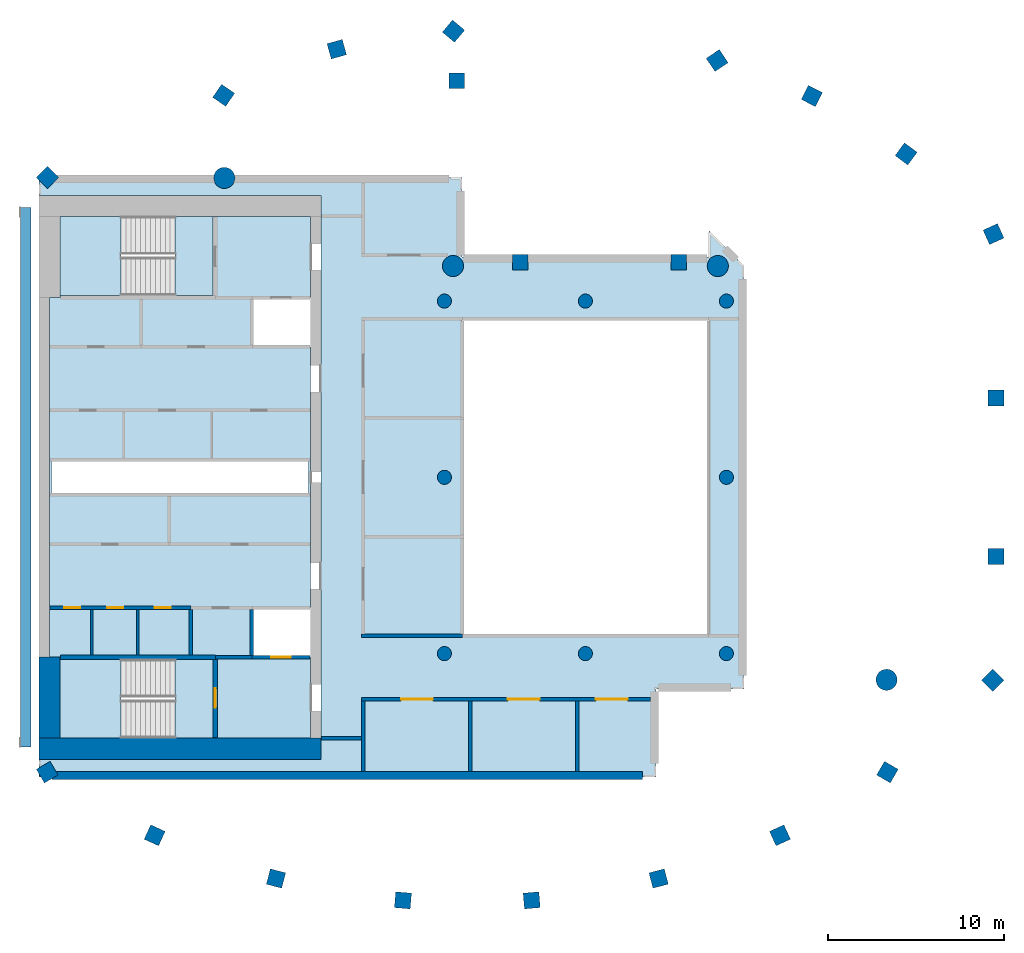
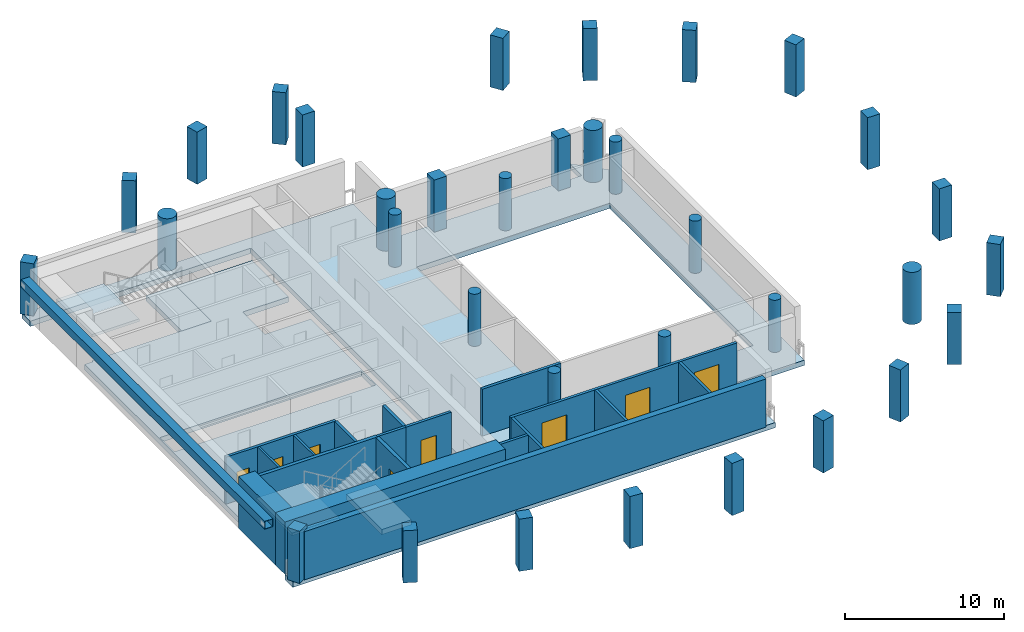
# One storey, part 1 of 9: 34 columns, 18 walls, 8 doors, 6 slabs, 1 member, 8 openings, 2 elements without a shape of their own.
"""IFC4 building model written with IfcOpenShell, lengths in metres."""

from ifc_helpers import new_model, si_unit, direction, frame, frame_2d, origin, origin_2d, place, context, subcontext, project, spatial, polyline, rectangle, hollow_rectangle, circle, outline, extrude, material, layer, layer_set, material_profile, profile_set, type_object, element, fill, aggregate, save


model = new_model("IFC4")

# Units and contexts
model_context = context("Model", 3, precision=1e-05, world=origin(), true_north=direction((0.0, 1.0)))
body_context = subcontext(model_context, "Body", "Model", "MODEL_VIEW")
ifc_project = project(units=[si_unit("LENGTHUNIT", "METRE"), si_unit("AREAUNIT", "SQUARE_METRE"), si_unit("VOLUMEUNIT", "CUBIC_METRE"), si_unit("PLANEANGLEUNIT", "RADIAN"), si_unit("MASSUNIT", "GRAM", prefix="KILO")], contexts=[model_context])

# Site, building, storey
site_placement = place(None, origin())
site = spatial("IfcSite", under=ifc_project, at=site_placement, CompositionType="ELEMENT")
building_placement = place(site_placement, origin())
building = spatial("IfcBuilding", under=site, at=building_placement, Name="Cypress Arch Tower", CompositionType="ELEMENT")
storey_placement = place(building_placement, frame((0.0, 0.0, 335.0)))
storey = spatial("IfcBuildingStorey", under=building, at=storey_placement, Name="L76", CompositionType="ELEMENT", Elevation=335.0)

# Columns
ifc_material_1 = material(Name="Concrete C60/75", Category="concrete")
ifc_material_profile_1 = material_profile(ifc_material_1, rectangle(XDim=0.89990234375, YDim=0.89990234375, at=origin_2d()), Name="RC 900x900")
ifc_profile_set_1 = profile_set([ifc_material_profile_1], Name="Concrete C60/75")
column_type_1 = type_object("IfcColumnType", Name="Column RC 900x900 Concrete C60/75", PredefinedType="COLUMN", material=ifc_profile_set_1)
for number, where, z_axis, x_axis, name in (
    (1, (8.474853515625, 23.6474609375, 0.0), (0.0, 0.0, 1.0), (-0.828469606019, -0.560034027451, 0.0), "Column L76 CC00"),
    (2, (6.300048828125, 12.199951171875, 0.0), (0.0, 0.0, 1.0), (-1.0, 0.0, 0.0), "Column L76 CC02"),
    (3, (-2.699951171875, 12.199951171875, 0.0), (0.0, 0.0, 1.0), (-1.0, 0.0, 0.0), "Column L76 CC03"),
    (4, (-6.300048828125, 22.5, 0.0), (0.0, 0.0, 1.0), (0.0, 1.0, 0.0), "Column L76 CC05"),
    (5, (-6.48388671875, 25.313232421875, 0.0), (0.0, 0.0, 1.0), (-0.766063514674, 0.642764880407, 0.0), "Column L76 CC06"),
    (6, (-13.108154296875, 24.28955078125, 0.0), (0.0, 0.0, 1.0), (-0.96345574646, -0.267867550506, 0.0), "Column L76 CC07"),
    (7, (-19.5244140625, 21.673583984375, 0.0), (0.0, 0.0, 1.0), (-0.565892599589, -0.824478966215, 0.0), "Column L76 CC08"),
    (8, (-29.513671875, 17.013671875, 0.0), (0.0, 0.0, 1.0), (-0.707106781187, -0.707106781187, 0.0), "Column L76 CC10"),
    (9, (-29.534423828125, -16.72802734375, 0.0), (0.0, 0.0, 1.0), (0.504399289829, -0.86347053014, 0.0), "Column L76 CC11"),
    (10, (-23.439697265625, -20.312255859375, 0.0), (0.0, 0.0, 1.0), (0.909932071487, -0.414757308891, 0.0), "Column L76 CC12"),
    (11, (-16.55419921875, -22.762939453125, 0.0), (0.0, 0.0, 1.0), (0.96735573689, -0.2534223319, 0.0), "Column L76 CC13"),
    (12, (-9.351318359375, -24.00341796875, 0.0), (0.0, 0.0, 1.0), (0.996368206733, -0.085149260784, 0.0), "Column L76 CC14"),
    (13, (-2.048828125, -24.00341796875, 0.0), (0.0, 0.0, 1.0), (0.996368206733, 0.085149260784, 0.0), "Column L76 CC15"),
    (14, (5.154296875, -22.762939453125, 0.0), (0.0, 0.0, 1.0), (0.96735573689, 0.2534223319, 0.0), "Column L76 CC16"),
    (15, (12.039794921875, -20.312255859375, 0.0), (0.0, 0.0, 1.0), (0.909932071487, 0.414757308891, 0.0), "Column L76 CC17"),
    (16, (18.134521484375, -16.72802734375, 0.0), (0.0, 0.0, 1.0), (0.504399289829, 0.86347053014, 0.0), "Column L76 CC18"),
    (17, (24.113525390625, -11.513671875, 0.0), (0.0, 0.0, 1.0), (0.707106781187, 0.707106781187, 0.0), "Column L76 CC20"),
    (18, (24.300048828125, -4.5, 0.0), (0.0, 0.0, 1.0), (0.0, 1.0, 0.0), "Column L76 CC21"),
    (19, (24.300048828125, 4.5, 0.0), (0.0, 0.0, 1.0), (0.0, 1.0, 0.0), "Column L76 CC22"),
    (20, (24.155029296875, 13.800048828125, 0.0), (0.0, 0.0, 1.0), (-0.409765058504, 0.912191096662, 0.0), "Column L76 CC23"),
    (21, (19.197998046875, 18.347900390625, 0.0), (0.0, 0.0, 1.0), (-0.802798546114, 0.596250362144, 0.0), "Column L76 CC24"),
    (22, (13.84814453125, 21.638427734375, 0.0), (0.0, 0.0, 1.0), (-0.893106499805, 0.44984528452, 0.0), "Column L76 CC25"),
):
    element("IfcColumn", number, at=place(storey_placement, frame(where, z_axis=z_axis, x_axis=x_axis)), inside=storey, type_object=column_type_1, Name=name, PredefinedType="COLUMN", context=body_context, shape_type="SweptSolid", body=[
        extrude(rectangle(XDim=0.89990234375, YDim=0.89990234375, at=origin_2d()), origin(), (0.0, 0.0, 1.0), 4.0),
    ])
ifc_material_2 = material(Name="Concrete C60/75", Category="concrete")
ifc_material_profile_2 = material_profile(ifc_material_2, circle(Radius=0.39990234375, at=origin_2d()), Name="RC D800")
ifc_profile_set_2 = profile_set([ifc_material_profile_2], Name="Concrete C60/75")
column_type_2 = type_object("IfcColumnType", Name="Column RC D800 Concrete C60/75", PredefinedType="COLUMN", material=ifc_profile_set_2)
for number, where, z_axis, x_axis, name in (
    (23, (-7.0, -10.0, 0.0), (0.0, 0.0, 1.0), (1.0, 0.0, 0.0), "Column L76 RNG-L76-G-7-10"),
    (24, (-7.0, 0.0, 0.0), (0.0, 0.0, 1.0), (1.0, 0.0, 0.0), "Column L76 RNG-L76-G-7+0"),
    (25, (-7.0, 10.0, 0.0), (0.0, 0.0, 1.0), (1.0, 0.0, 0.0), "Column L76 RNG-L76-G-7+10"),
    (26, (1.0, -10.0, 0.0), (0.0, 0.0, 1.0), (1.0, 0.0, 0.0), "Column L76 RNG-L76-G+1-10"),
    (27, (1.0, 10.0, 0.0), (0.0, 0.0, 1.0), (1.0, 0.0, 0.0), "Column L76 RNG-L76-G+1+10"),
    (28, (9.0, -10.0, 0.0), (0.0, 0.0, 1.0), (1.0, 0.0, 0.0), "Column L76 RNG-L76-G+9-10"),
    (29, (9.0, 0.0, 0.0), (0.0, 0.0, 1.0), (1.0, 0.0, 0.0), "Column L76 RNG-L76-G+9+0"),
    (30, (9.0, 10.0, 0.0), (0.0, 0.0, 1.0), (1.0, 0.0, 0.0), "Column L76 RNG-L76-G+9+10"),
):
    element("IfcColumn", number, at=place(storey_placement, frame(where, z_axis=z_axis, x_axis=x_axis)), inside=storey, type_object=column_type_2, Name=name, PredefinedType="COLUMN", context=body_context, shape_type="SweptSolid", body=[
        extrude(circle(Radius=0.39990234375, at=origin_2d()), origin(), (0.0, 0.0, 1.0), 4.0),
    ])
ifc_material_3 = material(Name="Concrete C60/75", Category="concrete")
ifc_material_profile_3 = material_profile(ifc_material_3, circle(Radius=0.60009765625, at=origin_2d()), Name="RC D1200")
ifc_profile_set_3 = profile_set([ifc_material_profile_3], Name="Concrete C60/75")
column_type_3 = type_object("IfcColumnType", Name="Mega-column RC D1200 Concrete C60/75", PredefinedType="COLUMN", material=ifc_profile_set_3)
for number, where, z_axis, x_axis, name in (
    (31, (8.51220703125, 11.98779296875, 0.0), (0.0, 0.0, 1.0), (1.0, 0.0, 0.0), "Column L76 CC01"),
    (32, (-6.51220703125, 11.98779296875, 0.0), (0.0, 0.0, 1.0), (1.0, 0.0, 0.0), "Column L76 CC04"),
    (33, (-19.48779296875, 16.98779296875, 0.0), (0.0, 0.0, 1.0), (1.0, 0.0, 0.0), "Column L76 CC09"),
    (34, (18.087890625, -11.48779296875, 0.0), (0.0, 0.0, 1.0), (1.0, 0.0, 0.0), "Column L76 CC19"),
):
    element("IfcColumn", number, at=place(storey_placement, frame(where, z_axis=z_axis, x_axis=x_axis)), inside=storey, type_object=column_type_3, Name=name, PredefinedType="COLUMN", context=body_context, shape_type="SweptSolid", body=[
        extrude(circle(Radius=0.60009765625, at=origin_2d()), origin(), (0.0, 0.0, 1.0), 4.0),
    ])

# Member
ifc_material_4 = material(Name="Steel ASTM A501 Grade B", Category="steel")
ifc_material_profile_4 = material_profile(ifc_material_4, hollow_rectangle(XDim=0.609619140625, YDim=0.609619140625, WallThickness=0.023681640625, at=origin_2d()), Name="HSS 24x24x1")
ifc_profile_set_4 = profile_set([ifc_material_profile_4], Name="Steel ASTM A501 Grade B")
member_type = type_object("IfcMemberType", Name="West bracing chord HSS 24x24x1 Steel ASTM A501 Grade B", PredefinedType="CHORD", material=ifc_profile_set_4)
member_placement = place(storey_placement, frame((-30.7548828125, -15.295166015625, 3.6953125), z_axis=(0.0, 1.0, 0.0), x_axis=(-1.0, 0.0, 0.0)))
element("IfcMember", 35, at=member_placement, inside=storey, type_object=member_type, Name="West bracing chord 7", PredefinedType="CHORD", context=body_context, shape_type="SweptSolid", body=[
    extrude(hollow_rectangle(XDim=0.609619140625, YDim=0.609619140625, WallThickness=0.023681640625, at=origin_2d()), origin(), (0.0, 0.0, 1.0), 30.59033203125),
])

# Slabs
ifc_material_5 = material(Name="Concrete C40/50", Category="concrete")
ifc_layer_1 = layer(ifc_material_5, 0.402099609375)
ifc_layer_set_1 = layer_set([ifc_layer_1], Name="Core floor CF402")
slab_type_1 = type_object("IfcSlabType", Name="Core floor CF402", PredefinedType="FLOOR", material=ifc_layer_set_1)
slab_1_placement = place(storey_placement, frame((0.0, 0.0, -0.402099609375)))
element("IfcSlab", 36, at=slab_1_placement, inside=storey, type_object=slab_type_1, Name="Core floor", PredefinedType="FLOOR", context=body_context, shape_type="SweptSolid", body=[
    extrude(outline(polyline([(-20.125, -10.324951171875), (-22.27490234375, -10.324951171875), (-28.800048828125, -10.324951171875), (-28.800048828125, -10.199951171875), (-29.39990234375, -10.199951171875), (-29.39990234375, 10.199951171875), (-28.800048828125, 10.199951171875), (-28.800048828125, 10.324951171875), (-22.27490234375, 10.324951171875), (-20.125, 10.324951171875), (-20.125, 14.800048828125), (-14.60009765625, 14.800048828125), (-14.60009765625, 10.199951171875), (-17.919921875, 10.199951171875), (-17.919921875, 7.39990234375), (-14.60009765625, 7.39990234375), (-14.60009765625, -7.39990234375), (-17.919921875, -7.39990234375), (-17.919921875, -10.199951171875), (-14.60009765625, -10.199951171875), (-14.60009765625, -14.800048828125), (-20.125, -14.800048828125), (-20.125, -10.324951171875)]), holes=[polyline([(-29.300048828125, -0.89990234375), (-14.699951171875, -0.89990234375), (-14.699951171875, 0.89990234375), (-29.300048828125, 0.89990234375), (-29.300048828125, -0.89990234375)])]), origin(), (0.0, 0.0, 1.0), 0.402099609375),
])
slab_2_placement = place(storey_placement, frame((0.0, 0.0, -0.402099609375)))
element("IfcSlab", 37, at=slab_2_placement, inside=storey, type_object=slab_type_1, Name="Core floor", PredefinedType="FLOOR", context=body_context, shape_type="SweptSolid", body=[
    extrude(outline(polyline([(-22.27490234375, -10.324951171875), (-22.27490234375, -14.800048828125), (-20.125, -14.800048828125), (-20.125, -10.324951171875), (-22.27490234375, -10.324951171875)])), origin(), (0.0, 0.0, 1.0), 0.402099609375),
])
slab_3_placement = place(storey_placement, frame((0.0, 0.0, -0.402099609375)))
element("IfcSlab", 38, at=slab_3_placement, inside=storey, type_object=slab_type_1, Name="Core floor", PredefinedType="FLOOR", context=body_context, shape_type="SweptSolid", body=[
    extrude(outline(polyline([(-20.125, 14.800048828125), (-22.27490234375, 14.800048828125), (-22.27490234375, 10.324951171875), (-20.125, 10.324951171875), (-20.125, 14.800048828125)])), origin(), (0.0, 0.0, 1.0), 0.402099609375),
])
ifc_material_6 = material(Name="Concrete C40/50", Category="concrete")
ifc_layer_2 = layer(ifc_material_6, 0.39990234375)
ifc_layer_set_2 = layer_set([ifc_layer_2], Name="Crown flat slab 400 Concrete C40/50")
slab_type_2 = type_object("IfcSlabType", Name="Crown flat slab 400 Concrete C40/50", PredefinedType="FLOOR", material=ifc_layer_set_2)
slab_4_placement = place(storey_placement, frame((0.0, 0.0, -0.39990234375)))
element("IfcSlab", 39, at=slab_4_placement, inside=storey, type_object=slab_type_2, Name="Floor slab L76", PredefinedType="FLOOR", context=body_context, shape_type="SweptSolid", body=[
    extrude(outline(polyline([(-30.0, 17.0), (-6.0, 17.0), (-6.0, 12.5), (8.0, 12.5), (8.0, 14.0), (10.0, 12.0), (10.0, -12.0), (5.0, -12.0), (5.0, -17.0), (-30.0, -17.0), (-30.0, -16.0), (-14.0, -16.0), (-14.0, 16.0), (-30.0, 16.0), (-30.0, 17.0)]), holes=[polyline([(-6.0, -9.0), (8.0, -9.0), (8.0, 9.0), (-6.0, 9.0), (-6.0, -9.0)])]), origin(), (0.0, 0.0, 1.0), 0.39990234375),
])

# Stair, slab
ifc_material_7 = material(Name="Concrete C40/50", Category="concrete")
stair_type = type_object("IfcStairType", Name="Exit stair ES1667-215", PredefinedType="HALF_TURN_STAIR", material=ifc_material_7)
stair_1_placement = place(storey_placement, origin())
stair_1 = element("IfcStair", 40, at=stair_1_placement, inside=storey, type_object=stair_type, Name="L76 Exit stair A", PredefinedType="HALF_TURN_STAIR")
ifc_material_8 = material(Name="Concrete C40/50", Category="concrete")
ifc_layer_3 = layer(ifc_material_8, 0.199951171875)
ifc_layer_set_3 = layer_set([ifc_layer_3], Name="Stair landing SL200")
slab_type_3 = type_object("IfcSlabType", Name="Stair landing SL200", PredefinedType="LANDING", material=ifc_layer_set_3)
slab_5_placement = place(storey_placement, frame((0.0, 0.0, 1.800048828125)))
slab_5 = element("IfcSlab", 41, at=slab_5_placement, type_object=slab_type_3, Name="A landing 1", PredefinedType="LANDING", context=body_context, shape_type="SweptSolid", body=[
    extrude(outline(polyline([(-25.35498046875, -10.324951171875), (-28.800048828125, -10.324951171875), (-28.800048828125, -14.800048828125), (-25.35498046875, -14.800048828125), (-25.35498046875, -10.324951171875)])), origin(), (0.0, 0.0, 1.0), 0.199951171875),
])
aggregate(stair_1, [slab_5])

stair_2_placement = place(storey_placement, origin())
stair_2 = element("IfcStair", 42, at=stair_2_placement, inside=storey, type_object=stair_type, Name="L76 Exit stair B", PredefinedType="HALF_TURN_STAIR")
slab_6_placement = place(storey_placement, frame((0.0, 0.0, 1.800048828125)))
slab_6 = element("IfcSlab", 43, at=slab_6_placement, type_object=slab_type_3, Name="B landing 1", PredefinedType="LANDING", context=body_context, shape_type="SweptSolid", body=[
    extrude(outline(polyline([(-25.35498046875, 14.800048828125), (-28.800048828125, 14.800048828125), (-28.800048828125, 10.324951171875), (-25.35498046875, 10.324951171875), (-25.35498046875, 14.800048828125)])), origin(), (0.0, 0.0, 1.0), 0.199951171875),
])
aggregate(stair_2, [slab_6])

# Walls
ifc_material_9 = material(Name="Brick (red buff blend)", Category="masonry")
ifc_layer_4 = layer(ifc_material_9, 0.449951171875)
ifc_layer_set_4 = layer_set([ifc_layer_4], Name="Brick belt wall BW450-B")
wall_type_1 = type_object("IfcWallType", Name="Brick belt wall BW450-B", PredefinedType="SOLIDWALL", material=ifc_layer_set_4)
wall_1_placement = place(storey_placement, frame((-29.25, -16.925048828125, 0.0), z_axis=(0.0, 0.0, 1.0), x_axis=(1.0, 0.0, 0.0)))
element("IfcWall", 44, at=wall_1_placement, inside=storey, type_object=wall_type_1, Name="Brick wall L76 Kh00.0", PredefinedType="SOLIDWALL", context=body_context, shape_type="SweptSolid", body=[
    extrude(rectangle(XDim=33.5, YDim=0.449951171875, at=frame_2d((16.75, 0.0))), origin(), (0.0, 0.0, 1.0), 3.699951171875),
])
ifc_material_10 = material(Name="Concrete C50/60", Category="concrete")
ifc_layer_5 = layer(ifc_material_10, 1.199951171875)
ifc_layer_set_5 = layer_set([ifc_layer_5], Name="Core wall CW1200 C50/60")
wall_type_2 = type_object("IfcWallType", Name="Core wall CW1200 C50/60", PredefinedType="SHEAR", material=ifc_layer_set_5)
wall_2_placement = place(storey_placement, frame((-30.0, -15.39990234375, 0.0), z_axis=(0.0, 0.0, 1.0), x_axis=(1.0, 0.0, 0.0)))
element("IfcWall", 45, at=wall_2_placement, inside=storey, type_object=wall_type_2, Name="Core wall", PredefinedType="SHEAR", context=body_context, shape_type="SweptSolid", body=[
    extrude(rectangle(XDim=16.0, YDim=1.199951171875, at=frame_2d((8.0, 0.0))), origin(), (0.0, 0.0, 1.0), 4.0),
])
wall_3_placement = place(storey_placement, frame((-29.39990234375, -14.800048828125, 0.0), z_axis=(0.0, 0.0, 1.0), x_axis=(0.0, 1.0, 0.0)))
element("IfcWall", 46, at=wall_3_placement, inside=storey, type_object=wall_type_2, Name="Core wall", PredefinedType="SHEAR", context=body_context, shape_type="SweptSolid", body=[
    extrude(rectangle(XDim=4.60009765625, YDim=1.199951171875, at=frame_2d((2.300048828125, 0.0))), origin(), (0.0, 0.0, 1.0), 4.0),
])

# Wall, openings, doors
ifc_material_11 = material(Name="Concrete blockwork, plastered, rated", Category="masonry")
ifc_layer_6 = layer(ifc_material_11, 0.199951171875)
ifc_layer_set_6 = layer_set([ifc_layer_6], Name="Corridor wall FW200")
wall_type_3 = type_object("IfcWallType", Name="Corridor wall FW200", PredefinedType="PARTITIONING", material=ifc_layer_set_6)
wall_4_placement = place(storey_placement, frame((-29.3701171875, -7.39990234375, 0.0), z_axis=(0.0, 0.0, 1.0), x_axis=(1.0, 0.0, 0.0)))
wall_4 = element("IfcWall", 47, at=wall_4_placement, inside=storey, type_object=wall_type_3, Name="Corridor wall", PredefinedType="PARTITIONING", context=body_context, shape_type="SweptSolid", body=[
    extrude(rectangle(XDim=7.990234375, YDim=0.199951171875, at=frame_2d((3.9951171875, 0.0))), origin(), (0.0, 0.0, 1.0), 3.597900390625),
])
opening_1_placement = place(wall_4_placement, frame((0.800048828125, 0.0, 0.0)))
opening_1 = element("IfcOpeningElement", 48, at=opening_1_placement, cuts=wall_4, Name="Opening D05", PredefinedType="OPENING", context=body_context, shape_type="SweptSolid", body=[
    extrude(rectangle(XDim=0.89990234375, YDim=2.199951171875, at=frame_2d((0.449951171875, 1.10009765625))), frame((0.0, 0.10986328125, 0.0), z_axis=(0.0, -1.0, 0.0), x_axis=(1.0, 0.0, 0.0)), (0.0, 0.0, 1.0), 0.219970703125),
])
opening_2_placement = place(wall_4_placement, frame((3.25, 0.0, 0.0)))
opening_2 = element("IfcOpeningElement", 49, at=opening_2_placement, cuts=wall_4, Name="Opening D05", PredefinedType="OPENING", context=body_context, shape_type="SweptSolid", body=[
    extrude(rectangle(XDim=0.89990234375, YDim=2.199951171875, at=frame_2d((0.449951171875, 1.10009765625))), frame((0.0, 0.10986328125, 0.0), z_axis=(0.0, -1.0, 0.0), x_axis=(1.0, 0.0, 0.0)), (0.0, 0.0, 1.0), 0.219970703125),
])
opening_3_placement = place(wall_4_placement, frame((5.949951171875, 0.0, 0.0)))
opening_3 = element("IfcOpeningElement", 50, at=opening_3_placement, cuts=wall_4, Name="Opening D05", PredefinedType="OPENING", context=body_context, shape_type="SweptSolid", body=[
    extrude(rectangle(XDim=0.89990234375, YDim=2.199951171875, at=frame_2d((0.449951171875, 1.10009765625))), frame((0.0, 0.10986328125, 0.0), z_axis=(0.0, -1.0, 0.0), x_axis=(1.0, 0.0, 0.0)), (0.0, 0.0, 1.0), 0.219970703125),
])
ifc_material_12 = material(Name="Timber flush door", Category="wood")
door_type_1 = type_object("IfcDoorType", Name="Service door D05 900x2200", OperationType="SINGLE_SWING_LEFT", PredefinedType="DOOR", material=ifc_material_12)
door_1_placement = place(opening_1_placement, origin())
door_1 = element("IfcDoor", 51, at=door_1_placement, inside=storey, type_object=door_type_1, Name="Service door", OperationType="SINGLE_SWING_LEFT", OverallHeight=2.199951171875, OverallWidth=0.89990234375, PredefinedType="DOOR", context=body_context, shape_type="SweptSolid", body=[
    extrude(rectangle(XDim=0.89990234375, YDim=2.199951171875, at=frame_2d((0.449951171875, 1.10009765625))), frame((0.0, 0.02490234375, 0.0), z_axis=(0.0, -1.0, 0.0), x_axis=(1.0, 0.0, 0.0)), (0.0, 0.0, 1.0), 0.050048828125),
])
fill(opening_1, door_1)
door_2_placement = place(opening_2_placement, origin())
door_2 = element("IfcDoor", 52, at=door_2_placement, inside=storey, type_object=door_type_1, Name="Service door", OperationType="SINGLE_SWING_LEFT", OverallHeight=2.199951171875, OverallWidth=0.89990234375, PredefinedType="DOOR", context=body_context, shape_type="SweptSolid", body=[
    extrude(rectangle(XDim=0.89990234375, YDim=2.199951171875, at=frame_2d((0.449951171875, 1.10009765625))), frame((0.0, 0.02490234375, 0.0), z_axis=(0.0, -1.0, 0.0), x_axis=(1.0, 0.0, 0.0)), (0.0, 0.0, 1.0), 0.050048828125),
])
fill(opening_2, door_2)
door_3_placement = place(opening_3_placement, origin())
door_3 = element("IfcDoor", 53, at=door_3_placement, inside=storey, type_object=door_type_1, Name="Service door", OperationType="SINGLE_SWING_RIGHT", OverallHeight=2.199951171875, OverallWidth=0.89990234375, PredefinedType="DOOR", context=body_context, shape_type="SweptSolid", body=[
    extrude(rectangle(XDim=0.89990234375, YDim=2.199951171875, at=frame_2d((0.449951171875, 1.10009765625))), frame((0.0, 0.02490234375, 0.0), z_axis=(0.0, -1.0, 0.0), x_axis=(1.0, 0.0, 0.0)), (0.0, 0.0, 1.0), 0.050048828125),
])
fill(opening_3, door_3)

# Walls
ifc_material_13 = material(Name="Blockwork, plastered both sides", Category="masonry")
ifc_layer_7 = layer(ifc_material_13, 0.14990234375)
ifc_layer_set_7 = layer_set([ifc_layer_7], Name="Partition PW150")
wall_type_4 = type_object("IfcWallType", Name="Partition PW150", PredefinedType="PARTITIONING", material=ifc_layer_set_7)
for number, where, z_axis, x_axis, name in (
    (54, (-27.0, -10.074951171875, 0.0), (0.0, 0.0, 1.0), (0.0, 1.0, 0.0), "Partition"),
    (55, (-24.39990234375, -10.074951171875, 0.0), (0.0, 0.0, 1.0), (0.0, 1.0, 0.0), "Partition"),
):
    element("IfcWall", number, at=place(storey_placement, frame(where, z_axis=z_axis, x_axis=x_axis)), inside=storey, type_object=wall_type_4, Name=name, PredefinedType="PARTITIONING", context=body_context, shape_type="SweptSolid", body=[
        extrude(rectangle(XDim=2.574951171875, YDim=0.14990234375, at=frame_2d((1.28759765625, 0.0))), origin(), (0.0, 0.0, 1.0), 3.597900390625),
    ])
ifc_material_14 = material(Name="Reinforced blockwork, plastered, rated", Category="masonry")
ifc_layer_8 = layer(ifc_material_14, 0.199951171875)
ifc_layer_set_8 = layer_set([ifc_layer_8], Name="Plant and riser wall PL200")
wall_type_5 = type_object("IfcWallType", Name="Plant and riser wall PL200", PredefinedType="PARTITIONING", material=ifc_layer_set_8)
wall_5_placement = place(storey_placement, frame((-21.39990234375, -10.074951171875, 0.0), z_axis=(0.0, 0.0, 1.0), x_axis=(0.0, 1.0, 0.0)))
element("IfcWall", 56, at=wall_5_placement, inside=storey, type_object=wall_type_5, Name="Plant and riser wall", PredefinedType="PARTITIONING", context=body_context, shape_type="SweptSolid", body=[
    extrude(rectangle(XDim=2.574951171875, YDim=0.199951171875, at=frame_2d((1.28759765625, 0.0))), origin(), (0.0, 0.0, 1.0), 3.597900390625),
])
wall_6_placement = place(storey_placement, frame((-20.0, -10.199951171875, 0.0), z_axis=(0.0, 0.0, 1.0), x_axis=(1.0, 0.0, 0.0)))
element("IfcWall", 57, at=wall_6_placement, inside=storey, type_object=wall_type_5, Name="Plant and riser wall", PredefinedType="PARTITIONING", context=body_context, shape_type="SweptSolid", body=[
    extrude(rectangle(XDim=2.080078125, YDim=0.199951171875, at=frame_2d((1.0400390625, 0.0))), origin(), (0.0, 0.0, 1.0), 3.597900390625),
])
wall_7_placement = place(storey_placement, frame((-13.969970703125, -14.800048828125, 0.0), z_axis=(0.0, 0.0, 1.0), x_axis=(1.0, 0.0, 0.0)))
element("IfcWall", 58, at=wall_7_placement, inside=storey, type_object=wall_type_5, Name="Plant and riser wall", PredefinedType="PARTITIONING", context=body_context, shape_type="SweptSolid", body=[
    extrude(rectangle(XDim=2.27001953125, YDim=0.199951171875, at=frame_2d((1.135009765625, 0.0))), origin(), (0.0, 0.0, 1.0), 3.597900390625),
])
wall_8_placement = place(storey_placement, frame((-11.60009765625, -16.699951171875, 0.0), z_axis=(0.0, 0.0, 1.0), x_axis=(0.0, 1.0, 0.0)))
element("IfcWall", 59, at=wall_8_placement, inside=storey, type_object=wall_type_5, Name="Plant and riser wall", PredefinedType="PARTITIONING", context=body_context, shape_type="SweptSolid", body=[
    extrude(rectangle(XDim=3.9990234375, YDim=0.199951171875, at=frame_2d((1.99951171875, 0.0))), origin(), (0.0, 0.0, 1.0), 3.597900390625),
])

# Wall, openings, doors
wall_9_placement = place(storey_placement, frame((-11.698974609375, -12.60009765625, 0.0), z_axis=(0.0, 0.0, 1.0), x_axis=(1.0, 0.0, 0.0)))
wall_9 = element("IfcWall", 60, at=wall_9_placement, inside=storey, type_object=wall_type_5, Name="Plant and riser wall", PredefinedType="PARTITIONING", context=body_context, shape_type="SweptSolid", body=[
    extrude(rectangle(XDim=16.39892578125, YDim=0.199951171875, at=frame_2d((8.199462890625, 0.0))), origin(), (0.0, 0.0, 1.0), 3.597900390625),
])
opening_4_placement = place(wall_9_placement, frame((2.25, 0.0, 0.0)))
opening_4 = element("IfcOpeningElement", 61, at=opening_4_placement, cuts=wall_9, Name="Opening D09", PredefinedType="OPENING", context=body_context, shape_type="SweptSolid", body=[
    extrude(rectangle(XDim=1.800048828125, YDim=2.39990234375, at=frame_2d((0.89990234375, 1.199951171875))), frame((0.0, 0.10986328125, 0.0), z_axis=(0.0, -1.0, 0.0), x_axis=(1.0, 0.0, 0.0)), (0.0, 0.0, 1.0), 0.219970703125),
])
opening_5_placement = place(wall_9_placement, frame((8.300048828125, 0.0, 0.0)))
opening_5 = element("IfcOpeningElement", 62, at=opening_5_placement, cuts=wall_9, Name="Opening D09", PredefinedType="OPENING", context=body_context, shape_type="SweptSolid", body=[
    extrude(rectangle(XDim=1.800048828125, YDim=2.39990234375, at=frame_2d((0.89990234375, 1.199951171875))), frame((0.0, 0.10986328125, 0.0), z_axis=(0.0, -1.0, 0.0), x_axis=(1.0, 0.0, 0.0)), (0.0, 0.0, 1.0), 0.219970703125),
])
opening_6_placement = place(wall_9_placement, frame((13.300048828125, 0.0, 0.0)))
opening_6 = element("IfcOpeningElement", 63, at=opening_6_placement, cuts=wall_9, Name="Opening D09", PredefinedType="OPENING", context=body_context, shape_type="SweptSolid", body=[
    extrude(rectangle(XDim=1.800048828125, YDim=2.39990234375, at=frame_2d((0.89990234375, 1.199951171875))), frame((0.0, 0.10986328125, 0.0), z_axis=(0.0, -1.0, 0.0), x_axis=(1.0, 0.0, 0.0)), (0.0, 0.0, 1.0), 0.219970703125),
])
ifc_material_15 = material(Name="Steel door, fire resisting", Category="steel")
door_type_2 = type_object("IfcDoorType", Name="Plant room door D09 1800x2400", OperationType="DOUBLE_DOOR_SINGLE_SWING", PredefinedType="DOOR", material=ifc_material_15)
door_4_placement = place(opening_4_placement, origin())
door_4 = element("IfcDoor", 64, at=door_4_placement, inside=storey, type_object=door_type_2, Name="Plant room door", OperationType="DOUBLE_DOOR_SINGLE_SWING", OverallHeight=2.39990234375, OverallWidth=1.800048828125, PredefinedType="DOOR", context=body_context, shape_type="SweptSolid", body=[
    extrude(rectangle(XDim=1.800048828125, YDim=2.39990234375, at=frame_2d((0.89990234375, 1.199951171875))), frame((0.0, 0.02490234375, 0.0), z_axis=(0.0, -1.0, 0.0), x_axis=(1.0, 0.0, 0.0)), (0.0, 0.0, 1.0), 0.050048828125),
])
fill(opening_4, door_4)
door_5_placement = place(opening_5_placement, origin())
door_5 = element("IfcDoor", 65, at=door_5_placement, inside=storey, type_object=door_type_2, Name="Plant room door", OperationType="DOUBLE_DOOR_SINGLE_SWING", OverallHeight=2.39990234375, OverallWidth=1.800048828125, PredefinedType="DOOR", context=body_context, shape_type="SweptSolid", body=[
    extrude(rectangle(XDim=1.800048828125, YDim=2.39990234375, at=frame_2d((0.89990234375, 1.199951171875))), frame((0.0, 0.02490234375, 0.0), z_axis=(0.0, -1.0, 0.0), x_axis=(1.0, 0.0, 0.0)), (0.0, 0.0, 1.0), 0.050048828125),
])
fill(opening_5, door_5)
door_6_placement = place(opening_6_placement, origin())
door_6 = element("IfcDoor", 66, at=door_6_placement, inside=storey, type_object=door_type_2, Name="Plant room door", OperationType="DOUBLE_DOOR_SINGLE_SWING", OverallHeight=2.39990234375, OverallWidth=1.800048828125, PredefinedType="DOOR", context=body_context, shape_type="SweptSolid", body=[
    extrude(rectangle(XDim=1.800048828125, YDim=2.39990234375, at=frame_2d((0.89990234375, 1.199951171875))), frame((0.0, 0.02490234375, 0.0), z_axis=(0.0, -1.0, 0.0), x_axis=(1.0, 0.0, 0.0)), (0.0, 0.0, 1.0), 0.050048828125),
])
fill(opening_6, door_6)

# Walls
wall_10_placement = place(storey_placement, frame((-11.698974609375, -9.0, 0.0), z_axis=(0.0, 0.0, 1.0), x_axis=(1.0, 0.0, 0.0)))
element("IfcWall", 67, at=wall_10_placement, inside=storey, type_object=wall_type_5, Name="Plant and riser wall", PredefinedType="PARTITIONING", context=body_context, shape_type="SweptSolid", body=[
    extrude(rectangle(XDim=5.718994140625, YDim=0.199951171875, at=frame_2d((2.859375, 0.0))), origin(), (0.0, 0.0, 1.0), 3.597900390625),
])
for number, where, z_axis, x_axis, name in (
    (68, (-5.52490234375, -16.699951171875, 0.0), (0.0, 0.0, 1.0), (0.0, 1.0, 0.0), "Plant and riser wall"),
    (69, (0.550048828125, -16.699951171875, 0.0), (0.0, 0.0, 1.0), (0.0, 1.0, 0.0), "Plant and riser wall"),
):
    element("IfcWall", number, at=place(storey_placement, frame(where, z_axis=z_axis, x_axis=x_axis)), inside=storey, type_object=wall_type_5, Name=name, PredefinedType="PARTITIONING", context=body_context, shape_type="SweptSolid", body=[
        extrude(rectangle(XDim=4.0, YDim=0.199951171875, at=frame_2d((2.0, 0.0))), origin(), (0.0, 0.0, 1.0), 3.597900390625),
    ])
ifc_material_16 = material(Name="Concrete C50/60", Category="concrete")
ifc_layer_9 = layer(ifc_material_16, 0.199951171875)
ifc_layer_set_9 = layer_set([ifc_layer_9], Name="Shaft wall SH200")
wall_type_6 = type_object("IfcWallType", Name="Shaft wall SH200", PredefinedType="SHEAR", material=ifc_layer_set_9)
wall_11_placement = place(storey_placement, frame((-17.919921875, -10.10009765625, 0.0), z_axis=(0.0, 0.0, 1.0), x_axis=(0.0, 1.0, 0.0)))
element("IfcWall", 70, at=wall_11_placement, inside=storey, type_object=wall_type_6, Name="Shaft wall", PredefinedType="SHEAR", context=body_context, shape_type="SweptSolid", body=[
    extrude(rectangle(XDim=2.60009765625, YDim=0.199951171875, at=frame_2d((1.300048828125, 0.0))), origin(), (0.0, 0.0, 1.0), 3.597900390625),
])

# Wall, opening, door
wall_12_placement = place(storey_placement, frame((-17.919921875, -10.199951171875, 0.0), z_axis=(0.0, 0.0, 1.0), x_axis=(1.0, 0.0, 0.0)))
wall_12 = element("IfcWall", 71, at=wall_12_placement, inside=storey, type_object=wall_type_6, Name="Shaft wall", PredefinedType="SHEAR", context=body_context, shape_type="SweptSolid", body=[
    extrude(rectangle(XDim=3.2900390625, YDim=0.199951171875, at=frame_2d((1.64501953125, 0.0))), origin(), (0.0, 0.0, 1.0), 3.597900390625),
])
opening_7_placement = place(wall_12_placement, frame((1.10009765625, 0.0, 0.0)))
opening_7 = element("IfcOpeningElement", 72, at=opening_7_placement, cuts=wall_12, Name="Opening LD-FL1", PredefinedType="OPENING", context=body_context, shape_type="SweptSolid", body=[
    extrude(rectangle(XDim=1.10009765625, YDim=2.199951171875, at=frame_2d((0.550048828125, 1.10009765625))), frame((0.0, 0.10986328125, 0.0), z_axis=(0.0, -1.0, 0.0), x_axis=(1.0, 0.0, 0.0)), (0.0, 0.0, 1.0), 0.219970703125),
])
ifc_material_17 = material(Name="Stainless steel centre-opening landing door, rated", Category="steel")
door_type_3 = type_object("IfcDoorType", Name="Lift landing door LD 1100x2200", OperationType="DOUBLE_DOOR_SLIDING", PredefinedType="DOOR", material=ifc_material_17)
door_7_placement = place(opening_7_placement, origin())
door_7 = element("IfcDoor", 73, at=door_7_placement, inside=storey, type_object=door_type_3, Name="Lift landing doors FL1", OperationType="DOUBLE_DOOR_SLIDING", OverallHeight=2.199951171875, OverallWidth=1.10009765625, PredefinedType="DOOR", context=body_context, shape_type="SweptSolid", body=[
    extrude(rectangle(XDim=1.10009765625, YDim=2.199951171875, at=frame_2d((0.550048828125, 1.10009765625))), frame((0.0, 0.02490234375, 0.0), z_axis=(0.0, -1.0, 0.0), x_axis=(1.0, 0.0, 0.0)), (0.0, 0.0, 1.0), 0.050048828125),
])
fill(opening_7, door_7)

# Wall
ifc_material_18 = material(Name="Concrete C50/60", Category="concrete")
ifc_layer_10 = layer(ifc_material_18, 0.25)
ifc_layer_set_10 = layer_set([ifc_layer_10], Name="Stair enclosure wall SW250")
wall_type_7 = type_object("IfcWallType", Name="Stair enclosure wall SW250", PredefinedType="SHEAR", material=ifc_layer_set_10)
wall_13_placement = place(storey_placement, frame((-28.77001953125, -10.199951171875, 0.0), z_axis=(0.0, 0.0, 1.0), x_axis=(1.0, 0.0, 0.0)))
element("IfcWall", 74, at=wall_13_placement, inside=storey, type_object=wall_type_7, Name="Stair enclosure wall", PredefinedType="SHEAR", context=body_context, shape_type="SweptSolid", body=[
    extrude(rectangle(XDim=8.77001953125, YDim=0.25, at=frame_2d((4.385009765625, 0.0))), origin(), (0.0, 0.0, 1.0), 3.597900390625),
])

# Wall, opening, door
wall_14_placement = place(storey_placement, frame((-20.0, -14.77001953125, 0.0), z_axis=(0.0, 0.0, 1.0), x_axis=(0.0, 1.0, 0.0)))
wall_14 = element("IfcWall", 75, at=wall_14_placement, inside=storey, type_object=wall_type_7, Name="Stair enclosure wall", PredefinedType="SHEAR", context=body_context, shape_type="SweptSolid", body=[
    extrude(rectangle(XDim=4.445068359375, YDim=0.25, at=frame_2d((2.22265625, 0.0))), origin(), (0.0, 0.0, 1.0), 3.597900390625),
])
opening_8_placement = place(wall_14_placement, frame((1.699951171875, 0.0, 0.0)))
opening_8 = element("IfcOpeningElement", 76, at=opening_8_placement, cuts=wall_14, Name="Opening D06", PredefinedType="OPENING", context=body_context, shape_type="SweptSolid", body=[
    extrude(rectangle(XDim=1.10009765625, YDim=2.199951171875, at=frame_2d((0.550048828125, 1.10009765625))), frame((0.0, 0.135009765625, 0.0), z_axis=(0.0, -1.0, 0.0), x_axis=(1.0, 0.0, 0.0)), (0.0, 0.0, 1.0), 0.27001953125),
])
ifc_material_19 = material(Name="Steel door, fire resisting, panic bar", Category="steel")
door_type_4 = type_object("IfcDoorType", Name="Stair door D06 1100x2200", OperationType="SINGLE_SWING_LEFT", PredefinedType="DOOR", material=ifc_material_19)
door_8_placement = place(opening_8_placement, origin())
door_8 = element("IfcDoor", 77, at=door_8_placement, inside=storey, type_object=door_type_4, Name="Stair door", OperationType="SINGLE_SWING_RIGHT", OverallHeight=2.199951171875, OverallWidth=1.10009765625, PredefinedType="DOOR", context=body_context, shape_type="SweptSolid", body=[
    extrude(rectangle(XDim=1.10009765625, YDim=2.199951171875, at=frame_2d((0.550048828125, 1.10009765625))), frame((0.0, 0.02490234375, 0.0), z_axis=(0.0, -1.0, 0.0), x_axis=(1.0, 0.0, 0.0)), (0.0, 0.0, 1.0), 0.050048828125),
])
fill(opening_8, door_8)

save(model, "model.ifc")
